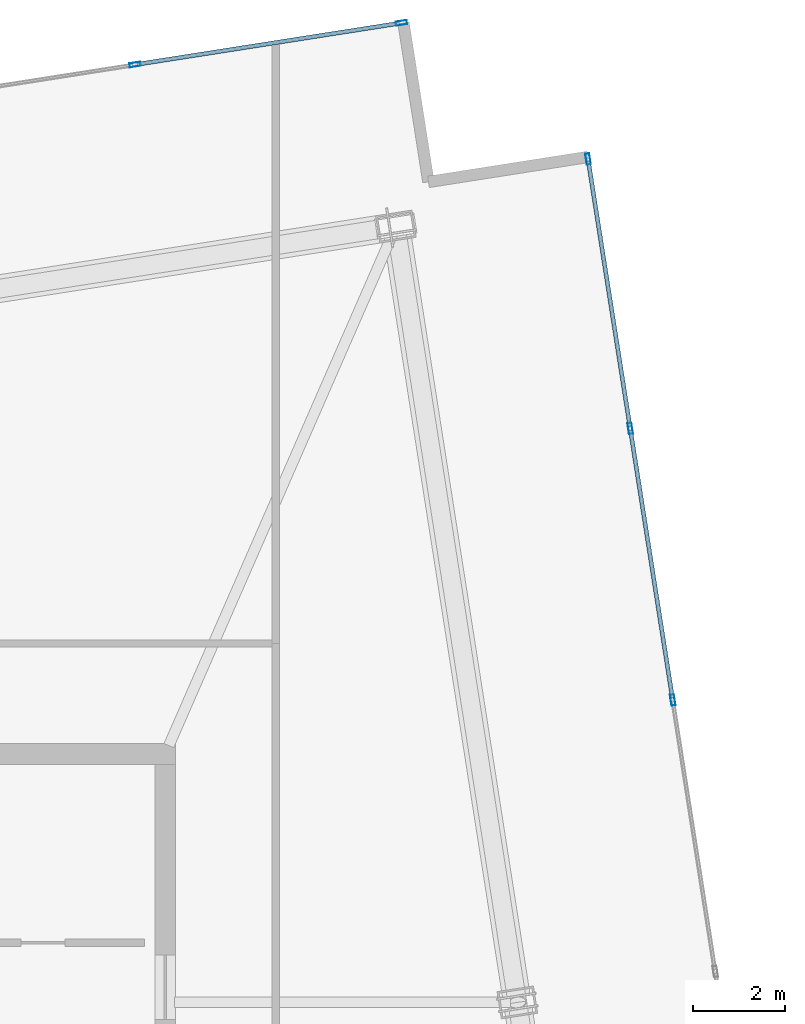
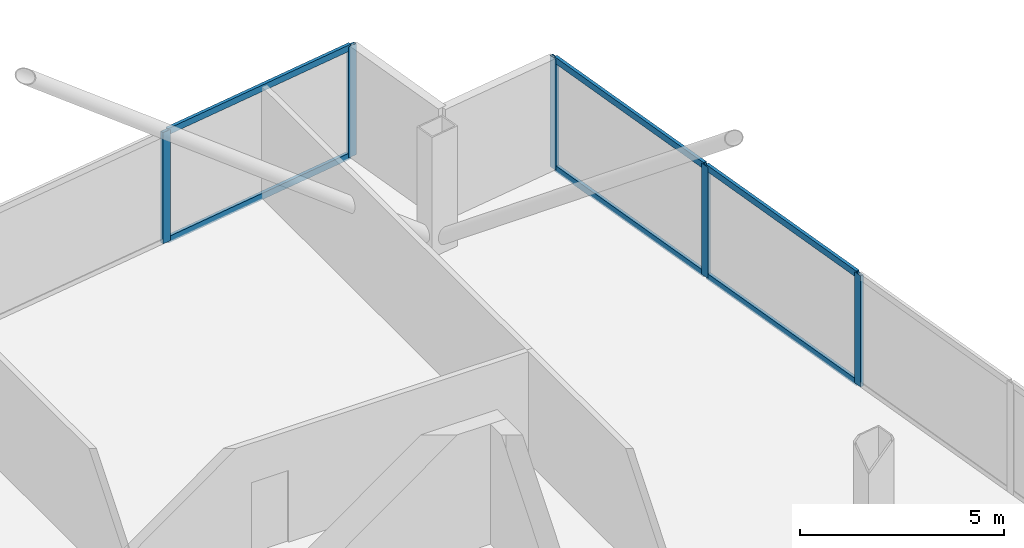
# One storey, part 17 of 21: 11 members, 2 elements without a shape of their own.
"""IFC4 building model written with IfcOpenShell, lengths in metres."""

from ifc_helpers import new_model, si_unit, direction, frame, origin, origin_2d, place, context, subcontext, project, spatial, hollow_rectangle, extrude, material, material_profile, profile_set, type_object, element, aggregate, save


model = new_model("IFC4")

# Units and contexts
model_context = context("Model", 3, precision=1e-05, world=origin(), true_north=direction((0.0, 1.0)))
body_context = subcontext(model_context, "Body", "Model", "MODEL_VIEW")
ifc_project = project(units=[si_unit("LENGTHUNIT", "METRE"), si_unit("AREAUNIT", "SQUARE_METRE"), si_unit("VOLUMEUNIT", "CUBIC_METRE"), si_unit("PLANEANGLEUNIT", "RADIAN"), si_unit("MASSUNIT", "GRAM", prefix="KILO")], contexts=[model_context])

# Site, building, storey
site_placement = place(None, origin())
site = spatial("IfcSite", under=ifc_project, at=site_placement, CompositionType="ELEMENT")
building_placement = place(site_placement, origin())
building = spatial("IfcBuilding", under=site, at=building_placement, Name="Haldenkirk Collegiate Tower", CompositionType="ELEMENT")
storey_placement = place(building_placement, frame((0.0, 0.0, 360.60009765625)))
storey = spatial("IfcBuildingStorey", under=building, at=storey_placement, Name="L91", CompositionType="ELEMENT", Elevation=360.60009765625)

# Curtain wall, members
ifc_material = material(Name="Anodised architectural bronze aluminium", Category="aluminium")
curtain_wall_type = type_object("IfcCurtainWallType", Name="CW-SYS6-CROWN", PredefinedType="USERDEFINED", material=ifc_material)
curtain_wall_1_placement = place(storey_placement, origin())
curtain_wall_1 = element("IfcCurtainWall", 1, at=curtain_wall_1_placement, inside=storey, type_object=curtain_wall_type, Name="L91 Closed crown ring ceramic-fritted bronze screen curtain wall", ObjectType="UNITISED CURTAIN WALL", PredefinedType="USERDEFINED")
ifc_material_profile_1 = material_profile(ifc_material, hollow_rectangle(XDim=0.090087890625, YDim=0.239990234375, WallThickness=0.0048828125, at=origin_2d()), Name="CW-MUL-06")
ifc_profile_set_1 = profile_set([ifc_material_profile_1], Name="Anodised architectural bronze aluminium")
member_type_1 = type_object("IfcMemberType", Name="CW-MUL-06", PredefinedType="MULLION", material=ifc_profile_set_1)
member_1_placement = place(storey_placement, frame((54.182373046875, 46.919921875, 0.0), z_axis=(0.0, 0.0, 1.0), x_axis=(0.987959532462, 0.154712514742, 0.0)))
member_1 = element("IfcMember", 2, at=member_1_placement, type_object=member_type_1, Name="CW-06 mullion 1", PredefinedType="MULLION", context=body_context, shape_type="SweptSolid", body=[
    extrude(hollow_rectangle(XDim=0.090087890625, YDim=0.239990234375, WallThickness=0.0048828125, at=origin_2d()), origin(), (0.0, 0.0, 1.0), 3.329833984375),
])
member_2_placement = place(storey_placement, frame((55.0986328125, 41.069580078125, 0.0), z_axis=(0.0, 0.0, 1.0), x_axis=(0.987959532462, 0.154712514742, 0.0)))
member_2 = element("IfcMember", 3, at=member_2_placement, type_object=member_type_1, Name="CW-06 mullion 2", PredefinedType="MULLION", context=body_context, shape_type="SweptSolid", body=[
    extrude(hollow_rectangle(XDim=0.090087890625, YDim=0.239990234375, WallThickness=0.0048828125, at=origin_2d()), origin(), (0.0, 0.0, 1.0), 3.329833984375),
])
member_3_placement = place(storey_placement, frame((56.021728515625, 35.174560546875, 0.0), z_axis=(0.0, 0.0, 1.0), x_axis=(0.987959532462, 0.154712514742, 0.0)))
member_3 = element("IfcMember", 4, at=member_3_placement, type_object=member_type_1, Name="CW-06 mullion 3", PredefinedType="MULLION", context=body_context, shape_type="SweptSolid", body=[
    extrude(hollow_rectangle(XDim=0.090087890625, YDim=0.239990234375, WallThickness=0.0048828125, at=origin_2d()), origin(), (0.0, 0.0, 1.0), 3.329833984375),
])

curtain_wall_2_placement = place(storey_placement, origin())
curtain_wall_2 = element("IfcCurtainWall", 5, at=curtain_wall_2_placement, inside=storey, type_object=curtain_wall_type, Name="L91 Closed crown ring ceramic-fritted bronze screen curtain wall", ObjectType="UNITISED CURTAIN WALL", PredefinedType="USERDEFINED")
member_4_placement = place(storey_placement, frame((44.34716796875, 48.968017578125, 0.0), z_axis=(0.0, 0.0, 1.0), x_axis=(-0.154708982189, 0.987960085646, 0.0)))
member_4 = element("IfcMember", 6, at=member_4_placement, type_object=member_type_1, Name="CW-06 mullion 6", PredefinedType="MULLION", context=body_context, shape_type="SweptSolid", body=[
    extrude(hollow_rectangle(XDim=0.090087890625, YDim=0.239990234375, WallThickness=0.0048828125, at=origin_2d()), origin(), (0.0, 0.0, 1.0), 3.329833984375),
])
member_5_placement = place(storey_placement, frame((50.131591796875, 49.873779296875, 0.0), z_axis=(0.0, 0.0, 1.0), x_axis=(-0.154708982189, 0.987960085646, 0.0)))
member_5 = element("IfcMember", 7, at=member_5_placement, type_object=member_type_1, Name="CW-06 mullion 7", PredefinedType="MULLION", context=body_context, shape_type="SweptSolid", body=[
    extrude(hollow_rectangle(XDim=0.090087890625, YDim=0.239990234375, WallThickness=0.0048828125, at=origin_2d()), origin(), (0.0, 0.0, 1.0), 3.329833984375),
])

# Member
ifc_material_profile_2 = material_profile(ifc_material, hollow_rectangle(XDim=0.090087890625, YDim=0.18994140625, WallThickness=0.0048828125, at=origin_2d()), Name="CW-TRN-06")
ifc_profile_set_2 = profile_set([ifc_material_profile_2], Name="Anodised architectural bronze aluminium")
member_type_2 = type_object("IfcMemberType", Name="CW-TRN-06", PredefinedType="USERDEFINED", material=ifc_profile_set_2)
member_6_placement = place(storey_placement, frame((54.189208984375, 46.87548828125, 0.044921875), z_axis=(0.154730622105, -0.987956696714, 0.0), x_axis=(0.987956696714, 0.154730622105, 0.0)))
member_6 = element("IfcMember", 8, at=member_6_placement, type_object=member_type_2, Name="CW-06 transom 1.1", ObjectType="TRANSOM", PredefinedType="USERDEFINED", context=body_context, shape_type="SweptSolid", body=[
    extrude(hollow_rectangle(XDim=0.090087890625, YDim=0.18994140625, WallThickness=0.0048828125, at=origin_2d()), origin(), (0.0, 0.0, 1.0), 5.831787109375),
])

member_7_placement = place(storey_placement, frame((54.189208984375, 46.87548828125, 3.284912109375), z_axis=(0.154730622105, -0.987956696714, 0.0), x_axis=(0.987956696714, 0.154730622105, 0.0)))
member_7 = element("IfcMember", 9, at=member_7_placement, type_object=member_type_2, Name="CW-06 transom 1.2", ObjectType="TRANSOM", PredefinedType="USERDEFINED", context=body_context, shape_type="SweptSolid", body=[
    extrude(hollow_rectangle(XDim=0.090087890625, YDim=0.18994140625, WallThickness=0.0048828125, at=origin_2d()), origin(), (0.0, 0.0, 1.0), 5.831787109375),
])

member_8_placement = place(storey_placement, frame((55.10546875, 41.025146484375, 0.044921875), z_axis=(0.154710174658, -0.987959898912, 0.0), x_axis=(0.987959898912, 0.154710174658, 0.0)))
member_8 = element("IfcMember", 10, at=member_8_placement, type_object=member_type_2, Name="CW-06 transom 2.1", ObjectType="TRANSOM", PredefinedType="USERDEFINED", context=body_context, shape_type="SweptSolid", body=[
    extrude(hollow_rectangle(XDim=0.090087890625, YDim=0.18994140625, WallThickness=0.0048828125, at=origin_2d()), origin(), (0.0, 0.0, 1.0), 5.876708984375),
])

member_9_placement = place(storey_placement, frame((55.10546875, 41.025146484375, 3.284912109375), z_axis=(0.154710174658, -0.987959898912, 0.0), x_axis=(0.987959898912, 0.154710174658, 0.0)))
member_9 = element("IfcMember", 11, at=member_9_placement, type_object=member_type_2, Name="CW-06 transom 2.2", ObjectType="TRANSOM", PredefinedType="USERDEFINED", context=body_context, shape_type="SweptSolid", body=[
    extrude(hollow_rectangle(XDim=0.090087890625, YDim=0.18994140625, WallThickness=0.0048828125, at=origin_2d()), origin(), (0.0, 0.0, 1.0), 5.876708984375),
])

aggregate(curtain_wall_1, [member_1, member_2, member_3, member_6, member_7, member_8, member_9])

member_10_placement = place(storey_placement, frame((44.3916015625, 48.974853515625, 0.044921875), z_axis=(0.987961315074, 0.154701130951, 0.0), x_axis=(-0.154701130951, 0.987961315074, 0.0)))
member_10 = element("IfcMember", 12, at=member_10_placement, type_object=member_type_2, Name="CW-06 transom 6.1", ObjectType="TRANSOM", PredefinedType="USERDEFINED", context=body_context, shape_type="SweptSolid", body=[
    extrude(hollow_rectangle(XDim=0.090087890625, YDim=0.18994140625, WallThickness=0.0048828125, at=origin_2d()), origin(), (0.0, 0.0, 1.0), 5.764892578125),
])

member_11_placement = place(storey_placement, frame((44.3916015625, 48.974853515625, 3.284912109375), z_axis=(0.987961315074, 0.154701130951, 0.0), x_axis=(-0.154701130951, 0.987961315074, 0.0)))
member_11 = element("IfcMember", 13, at=member_11_placement, type_object=member_type_2, Name="CW-06 transom 6.2", ObjectType="TRANSOM", PredefinedType="USERDEFINED", context=body_context, shape_type="SweptSolid", body=[
    extrude(hollow_rectangle(XDim=0.090087890625, YDim=0.18994140625, WallThickness=0.0048828125, at=origin_2d()), origin(), (0.0, 0.0, 1.0), 5.764892578125),
])

aggregate(curtain_wall_2, [member_4, member_5, member_10, member_11])

save(model, "model.ifc")
